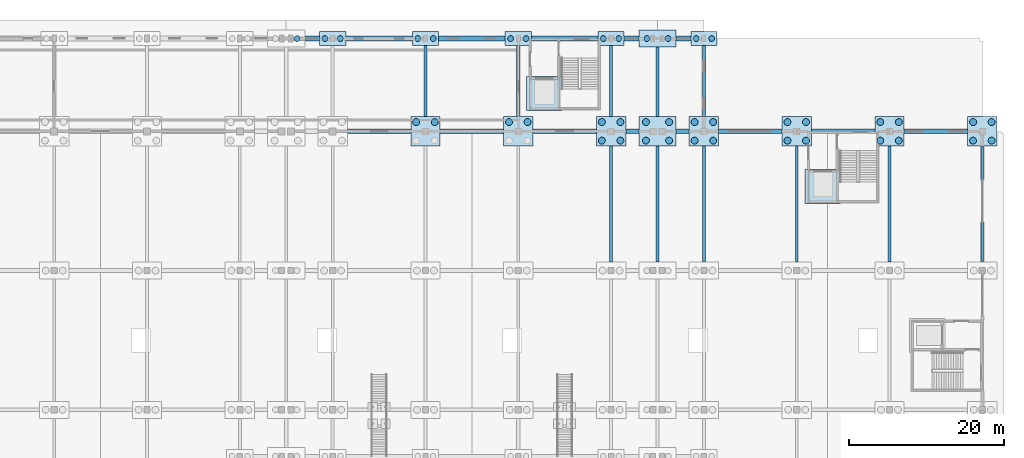
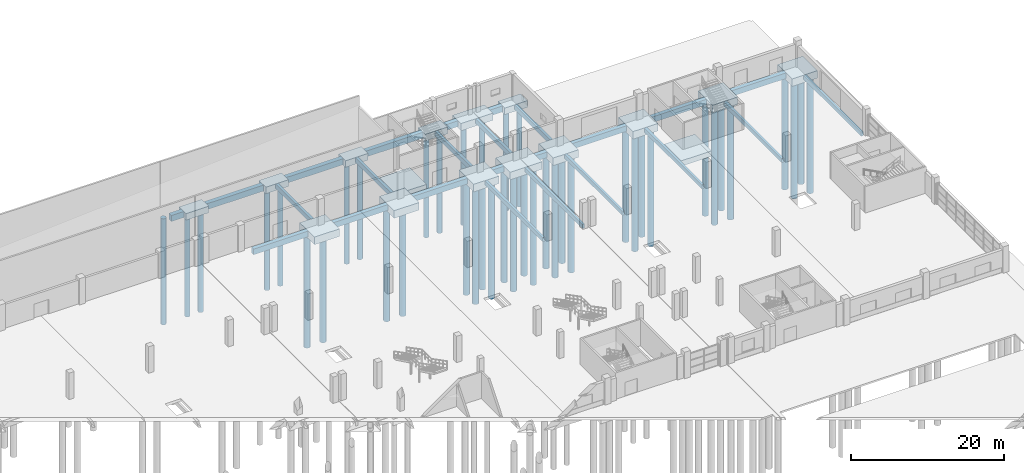
# One storey, part 9 of 77: 41 footings, 41 piles.
"""IFC4 building model written with IfcOpenShell, lengths in metres."""

import ifcopenshell
import ifcopenshell.guid

model = None  # the IFC model being written
_history = None  # IfcOwnerHistory: only IFC2X3 demands one
_inside = {}  # id of a spatial element -> (the spatial element, [elements in it])
_under = {}  # id of a project, library or spatial element -> (it, [spatial elements below it])
_declared = {}  # id of a project -> (the project, [libraries it declares])
_typed = {}  # id of a type object -> (the type object, [elements of that type])
_made_of = {}  # id of a material, layer set ... -> (it, [elements and type objects made of it])


def new_model(schema):
    """Start an empty IFC model of exactly this schema.

    Asked for "IFC4X3", IfcOpenShell would pick the latest addendum, in which some entities
    have other attributes; the version numbers below select the first issue.
    IFC2X3 requires an IfcOwnerHistory on every rooted entity: one is made here for all.
    """
    global model, _history
    if schema == "IFC4X3":
        model = ifcopenshell.file(schema_version=(4, 3, 0, 0))
    else:
        model = ifcopenshell.file(schema=schema)
    _inside.clear()
    _under.clear()
    _declared.clear()
    _typed.clear()
    _made_of.clear()
    _history = None
    if model.schema == "IFC2X3":
        org = make("IfcOrganization", Name="unknown")
        user = make(
            "IfcPersonAndOrganization",
            ThePerson=make("IfcPerson", FamilyName="unknown"),
            TheOrganization=org,
        )
        app = make(
            "IfcApplication",
            ApplicationDeveloper=org,
            Version="unknown",
            ApplicationFullName="unknown",
            ApplicationIdentifier="unknown",
        )
        _history = make(
            "IfcOwnerHistory",
            OwningUser=user,
            OwningApplication=app,
            ChangeAction="ADDED",
            CreationDate=0,
        )
    return model


def make(cls, **values):
    """One entity of the class cls with the attributes given. An attribute that is None is left unset."""
    return model.create_entity(
        cls, **{name: value for name, value in values.items() if value is not None}
    )


def rooted(cls, **values):
    """An entity with a GlobalId (a new one), such as an element, a storey or a relation."""
    return make(cls, GlobalId=ifcopenshell.guid.new(), OwnerHistory=_history, **values)


def si_unit(unit_type, name, prefix=None):
    """IfcSIUnit, for example si_unit("LENGTHUNIT", "METRE", prefix="MILLI")."""
    return make("IfcSIUnit", UnitType=unit_type, Prefix=prefix, Name=name)


def assignment(units):
    """IfcUnitAssignment: the units of a project."""
    return None if units is None else make("IfcUnitAssignment", Units=units)


def point(xyz):
    """IfcCartesianPoint."""
    return None if xyz is None else make("IfcCartesianPoint", Coordinates=xyz)


def direction(xyz):
    """IfcDirection."""
    return None if xyz is None else make("IfcDirection", DirectionRatios=xyz)


def frame(location, z_axis=None, x_axis=None):
    """IfcAxis2Placement3D, a coordinate frame: its origin and axes. An axis left out is left unset."""
    return make(
        "IfcAxis2Placement3D",
        Location=point(location),
        Axis=direction(z_axis),
        RefDirection=direction(x_axis),
    )


def frame_2d(location, x_axis=None):
    """IfcAxis2Placement2D, a coordinate frame in the plane: its origin and x axis."""
    return make(
        "IfcAxis2Placement2D", Location=point(location), RefDirection=direction(x_axis)
    )


def origin():
    """The frame at (0, 0, 0) with its axes left unset."""
    return frame((0.0, 0.0, 0.0))


def origin_2d():
    """The frame at (0, 0) in the plane with its x axis left unset."""
    return frame_2d((0.0, 0.0))


def place(relative_to, where):
    """IfcLocalPlacement: puts the frame where relative to a parent placement (None: the world)."""
    return make(
        "IfcLocalPlacement", PlacementRelTo=relative_to, RelativePlacement=where
    )


def context(
    kind, dimensions, precision=None, world=None, true_north=None, identifier=None
):
    """IfcGeometricRepresentationContext, for example the 3D "Model" context."""
    return make(
        "IfcGeometricRepresentationContext",
        ContextIdentifier=identifier,
        ContextType=kind,
        CoordinateSpaceDimension=dimensions,
        Precision=precision,
        WorldCoordinateSystem=world,
        TrueNorth=true_north,
    )


def subcontext(parent, identifier, kind, view, scale=None):
    """IfcGeometricRepresentationSubContext, for example "Body" below "Model"."""
    return make(
        "IfcGeometricRepresentationSubContext",
        ContextIdentifier=identifier,
        ContextType=kind,
        ParentContext=parent,
        TargetScale=scale,
        TargetView=view,
    )


def project(units=None, contexts=None):
    """IfcProject with its units and contexts."""
    return rooted(
        "IfcProject",
        Name="project",
        RepresentationContexts=contexts,
        UnitsInContext=assignment(units),
    )


def spatial(cls, under=None, at=None, **own):
    """A site, building, storey or space (cls), placed at a placement, below another one or the project."""
    s = rooted(cls, ObjectPlacement=at, **own)
    if under is not None:
        _under.setdefault(under.id(), (under, []))[1].append(s)
    return s


def profile(cls, at=None, kind="AREA", **sizes):
    """A parametric profile (cls). Its sizes go by their IFC names, for example OverallWidth=200.0."""
    return make(cls, ProfileType=kind, Position=at, **sizes)


def rectangle(**sizes):
    """IfcRectangleProfileDef."""
    return profile("IfcRectangleProfileDef", **sizes)


def circle(**sizes):
    """IfcCircleProfileDef."""
    return profile("IfcCircleProfileDef", **sizes)


def extrude(swept, where, along, depth):
    """IfcExtrudedAreaSolid: the profile swept, set in the frame where, extruded along a direction by depth."""
    return make(
        "IfcExtrudedAreaSolid",
        SweptArea=swept,
        Position=where,
        ExtrudedDirection=direction(along),
        Depth=depth,
    )


def shape(context_of_items, identifier, shape_type, items):
    """IfcShapeRepresentation: the items that make up one representation, for example the "Body"."""
    return make(
        "IfcShapeRepresentation",
        ContextOfItems=context_of_items,
        RepresentationIdentifier=identifier,
        RepresentationType=shape_type,
        Items=items,
    )


def material(Name=None, Category=None):
    """IfcMaterial."""
    return make("IfcMaterial", Name=Name, Category=Category)


def material_profile(
    of_material, cross_section, Name=None, Category=None, Priority=None
):
    """IfcMaterialProfile: a cross section and its material."""
    return make(
        "IfcMaterialProfile",
        Name=Name,
        Material=of_material,
        Profile=cross_section,
        Priority=Priority,
        Category=Category,
    )


def profile_set(profiles, Name=None, composite=None):
    """IfcMaterialProfileSet."""
    return make(
        "IfcMaterialProfileSet",
        Name=Name,
        MaterialProfiles=profiles,
        CompositeProfile=composite,
    )


def made_of(thing, what):
    """Note that an element or type object is made of a material, layer set ...; save() writes the relation."""
    if what is not None:
        _made_of.setdefault(what.id(), (what, []))[1].append(thing)
    return thing


def type_object(cls, material=None, **own):
    """A type object (cls), such as IfcWallType, which elements share."""
    return made_of(rooted(cls, **own), material)


def element(
    cls,
    number,
    at=None,
    inside=None,
    cuts=None,
    type_object=None,
    material=None,
    context=None,
    identifier="Body",
    shape_type=None,
    held_by="IfcProductDefinitionShape",
    body=None,
    shapes=None,
    **own,
):
    """One element of the class cls, such as IfcWall. Its Tag is "e" and its number.

    at: its placement. inside: the storey or other place that contains it. cuts: it is an
    opening in that element (IfcRelVoidsElement). A single representation is given by context,
    identifier, shape_type and body (its items); several are given by shapes. held_by: the class
    of the entity that holds the representations. save() writes the other relations.
    """
    e = rooted(cls, Tag="e%d" % number, ObjectPlacement=at, **own)
    if body is not None:
        shapes = [shape(context, identifier, shape_type, body)]
    if shapes is not None:
        e.Representation = make(held_by, Representations=shapes)
    if inside is not None:
        _inside.setdefault(inside.id(), (inside, []))[1].append(e)
    if cuts is not None:
        rooted(
            "IfcRelVoidsElement", RelatingBuildingElement=cuts, RelatedOpeningElement=e
        )
    if type_object is not None:
        _typed.setdefault(type_object.id(), (type_object, []))[1].append(e)
    return made_of(e, material)


def aggregate(whole, parts):
    """IfcRelAggregates: a whole, such as a stair, and the parts it consists of."""
    return rooted("IfcRelAggregates", RelatingObject=whole, RelatedObjects=parts)


def save(model, path):
    """Write the relations noted so far, then the file.

    IfcRelAggregates (storeys below a building ...), IfcRelContainedInSpatialStructure (elements
    in a storey), IfcRelDefinesByType, IfcRelAssociatesMaterial and IfcRelDeclares: one each for
    every whole, place, type object, material and project.
    """
    for whole, parts in _under.values():
        aggregate(whole, parts)
    for where, things in _inside.values():
        rooted(
            "IfcRelContainedInSpatialStructure",
            RelatedElements=things,
            RelatingStructure=where,
        )
    for kind, things in _typed.values():
        rooted("IfcRelDefinesByType", RelatedObjects=things, RelatingType=kind)
    for what, things in _made_of.values():
        rooted("IfcRelAssociatesMaterial", RelatedObjects=things, RelatingMaterial=what)
    for by, libraries in _declared.values():
        rooted("IfcRelDeclares", RelatingContext=by, RelatedDefinitions=libraries)
    model.write(path)


model = new_model("IFC4")

# Units and contexts
model_context = context("Model", 3, precision=1e-05, world=origin(), true_north=direction((0.0, 1.0)))
body_context = subcontext(model_context, "Body", "Model", "MODEL_VIEW")
ifc_project = project(units=[si_unit("LENGTHUNIT", "METRE"), si_unit("AREAUNIT", "SQUARE_METRE"), si_unit("VOLUMEUNIT", "CUBIC_METRE"), si_unit("PLANEANGLEUNIT", "RADIAN"), si_unit("MASSUNIT", "GRAM", prefix="KILO")], contexts=[model_context])

# Site, building, storey
site_placement = place(None, origin())
site = spatial("IfcSite", under=ifc_project, at=site_placement, CompositionType="ELEMENT")
building_placement = place(site_placement, origin())
building = spatial("IfcBuilding", under=site, at=building_placement, Name="Zilviju Railside Exhibition Hall", CompositionType="ELEMENT")
storey_placement = place(building_placement, origin())
storey = spatial("IfcBuildingStorey", under=building, at=storey_placement, Name="L01", CompositionType="ELEMENT", Elevation=0.0)

# Footings
ifc_material_1 = material(Name="Concrete C35/45", Category="concrete")
footing_type_1 = type_object("IfcFootingType", Name="CAP-PC-01", PredefinedType="PILE_CAP", material=ifc_material_1)
for number, where, z_axis, x_axis, name in (
    (1, (144.0, 138.0, -1.60009765625), (0.0, 0.0, 1.0), (1.0, 0.0, 0.0), "Pile Cap FND-CAP-208"),
    (2, (156.0, 138.0, -1.60009765625), (0.0, 0.0, 1.0), (1.0, 0.0, 0.0), "Pile Cap FND-CAP-209"),
    (3, (168.0, 138.0, -1.60009765625), (0.0, 0.0, 1.0), (1.0, 0.0, 0.0), "Pile Cap FND-CAP-210"),
    (4, (180.0, 138.0, -1.60009765625), (0.0, 0.0, 1.0), (1.0, 0.0, 0.0), "Pile Cap FND-CAP-212"),
    (5, (192.0, 138.0, -1.60009765625), (0.0, 0.0, 1.0), (1.0, 0.0, 0.0), "Pile Cap FND-CAP-213"),
    (6, (204.0, 138.0, -1.60009765625), (0.0, 0.0, 1.0), (1.0, 0.0, 0.0), "Pile Cap FND-CAP-214"),
    (7, (216.0, 138.0, -1.60009765625), (0.0, 0.0, 1.0), (1.0, 0.0, 0.0), "Pile Cap FND-CAP-215"),
):
    element("IfcFooting", number, at=place(storey_placement, frame(where, z_axis=z_axis, x_axis=x_axis)), inside=storey, type_object=footing_type_1, Name=name, PredefinedType="PILE_CAP", context=body_context, shape_type="SweptSolid", body=[
        extrude(rectangle(XDim=3.800048828125, YDim=3.800048828125, at=origin_2d()), origin(), (0.0, 0.0, 1.0), 1.199951171875),
    ])
footing_type_2 = type_object("IfcFootingType", Name="CAP-PC-03", PredefinedType="PILE_CAP", material=ifc_material_1)
for number, where, z_axis, x_axis, name in (
    (8, (132.0, 150.0, -1.4501953125), (0.0, 0.0, 1.0), (1.0, 0.0, 0.0), "Pile Cap FND-CAP-228"),
    (9, (144.0, 150.0, -1.4501953125), (0.0, 0.0, 1.0), (1.0, 0.0, 0.0), "Pile Cap FND-CAP-229"),
    (10, (156.0, 150.0, -1.4501953125), (0.0, 0.0, 1.0), (1.0, 0.0, 0.0), "Pile Cap FND-CAP-230"),
    (11, (168.0, 150.0, -1.4501953125), (0.0, 0.0, 1.0), (1.0, 0.0, 0.0), "Pile Cap FND-CAP-231"),
    (12, (180.0, 150.0, -1.4501953125), (0.0, 0.0, 1.0), (1.0, 0.0, 0.0), "Pile Cap FND-CAP-233"),
):
    element("IfcFooting", number, at=place(storey_placement, frame(where, z_axis=z_axis, x_axis=x_axis)), inside=storey, type_object=footing_type_2, Name=name, PredefinedType="PILE_CAP", context=body_context, shape_type="SweptSolid", body=[
        extrude(rectangle(XDim=3.39990234375, YDim=1.800048828125, at=origin_2d()), origin(), (0.0, 0.0, 1.0), 1.050048828125),
    ])
footing_type_3 = type_object("IfcFootingType", Name="CAP-PC-06", PredefinedType="PILE_CAP", material=ifc_material_1)
footing_1_placement = place(storey_placement, frame((174.0, 138.0, -1.60009765625), z_axis=(0.0, 0.0, 1.0), x_axis=(1.0, 0.0, 0.0)))
element("IfcFooting", 13, at=footing_1_placement, inside=storey, type_object=footing_type_3, Name="Combined Pile Cap FND-CAP-211", PredefinedType="PILE_CAP", context=body_context, shape_type="SweptSolid", body=[
    extrude(rectangle(XDim=4.800048828125, YDim=3.800048828125, at=origin_2d()), origin(), (0.0, 0.0, 1.0), 1.199951171875),
])
footing_type_4 = type_object("IfcFootingType", Name="CAP-PC-07", PredefinedType="PILE_CAP", material=ifc_material_1)
footing_2_placement = place(storey_placement, frame((174.0, 150.0, -1.550048828125), z_axis=(0.0, 0.0, 1.0), x_axis=(1.0, 0.0, 0.0)))
element("IfcFooting", 14, at=footing_2_placement, inside=storey, type_object=footing_type_4, Name="Combined Pile Cap FND-CAP-232", PredefinedType="PILE_CAP", context=body_context, shape_type="SweptSolid", body=[
    extrude(rectangle(XDim=4.800048828125, YDim=2.199951171875, at=origin_2d()), origin(), (0.0, 0.0, 1.0), 1.14990234375),
])
ifc_material_profile_1 = material_profile(ifc_material_1, rectangle(XDim=0.60009765625, YDim=0.89990234375, at=origin_2d()), Name="TIE BEAM 600x900")
ifc_profile_set_1 = profile_set([ifc_material_profile_1], Name="Concrete C35/45")
footing_type_5 = type_object("IfcFootingType", Name="GB-GB-01", PredefinedType="FOOTING_BEAM", material=ifc_profile_set_1)
for number, where, z_axis, x_axis, name in (
    (15, (133.89990234375, 138.0, -0.85009765625), (1.0, 0.0, 0.0), (0.0, 1.0, 0.0), "Ground Tie Beam GB-0184"),
    (16, (145.89990234375, 138.0, -0.85009765625), (1.0, 0.0, 0.0), (0.0, 1.0, 0.0), "Ground Tie Beam GB-0185"),
    (17, (157.89990234375, 138.0, -0.85009765625), (1.0, 0.0, 0.0), (0.0, 1.0, 0.0), "Ground Tie Beam GB-0186"),
):
    element("IfcFooting", number, at=place(storey_placement, frame(where, z_axis=z_axis, x_axis=x_axis)), inside=storey, type_object=footing_type_5, Name=name, PredefinedType="FOOTING_BEAM", context=body_context, shape_type="SweptSolid", body=[
        extrude(rectangle(XDim=0.60009765625, YDim=0.89990234375, at=origin_2d()), origin(), (0.0, 0.0, 1.0), 8.2001953125),
    ])
for number, where, z_axis, x_axis, name in (
    (18, (169.89990234375, 138.0, -0.85009765625), (1.0, 0.0, 0.0), (0.0, 1.0, 0.0), "Ground Tie Beam GB-0187"),
    (19, (176.39990234375, 138.0, -0.85009765625), (1.0, 0.0, 0.0), (0.0, 1.0, 0.0), "Ground Tie Beam GB-0188"),
):
    element("IfcFooting", number, at=place(storey_placement, frame(where, z_axis=z_axis, x_axis=x_axis)), inside=storey, type_object=footing_type_5, Name=name, PredefinedType="FOOTING_BEAM", context=body_context, shape_type="SweptSolid", body=[
        extrude(rectangle(XDim=0.60009765625, YDim=0.89990234375, at=origin_2d()), origin(), (0.0, 0.0, 1.0), 1.7001953125),
    ])
for number, where, z_axis, x_axis, name in (
    (20, (181.89990234375, 138.0, -0.85009765625), (1.0, 0.0, 0.0), (0.0, 1.0, 0.0), "Ground Tie Beam GB-0189"),
    (21, (193.89990234375, 138.0, -0.85009765625), (1.0, 0.0, 0.0), (0.0, 1.0, 0.0), "Ground Tie Beam GB-0190"),
    (22, (205.89990234375, 138.0, -0.85009765625), (1.0, 0.0, 0.0), (0.0, 1.0, 0.0), "Ground Tie Beam GB-0191"),
):
    element("IfcFooting", number, at=place(storey_placement, frame(where, z_axis=z_axis, x_axis=x_axis)), inside=storey, type_object=footing_type_5, Name=name, PredefinedType="FOOTING_BEAM", context=body_context, shape_type="SweptSolid", body=[
        extrude(rectangle(XDim=0.60009765625, YDim=0.89990234375, at=origin_2d()), origin(), (0.0, 0.0, 1.0), 8.2001953125),
    ])
ifc_material_profile_2 = material_profile(ifc_material_1, rectangle(XDim=0.39990234375, YDim=0.75, at=origin_2d()), Name="TIE BEAM 400x750")
ifc_profile_set_2 = profile_set([ifc_material_profile_2], Name="Concrete C35/45")
footing_type_6 = type_object("IfcFootingType", Name="GB-GB-04", PredefinedType="FOOTING_BEAM", material=ifc_profile_set_2)
for number, where, z_axis, x_axis, name in (
    (23, (144.0, 139.89990234375, -0.77490234375), (0.0, 1.0, 0.0), (-1.0, 0.0, 0.0), "Ground Tie Beam GB-0343"),
    (24, (156.0, 139.89990234375, -0.77490234375), (0.0, 1.0, 0.0), (-1.0, 0.0, 0.0), "Ground Tie Beam GB-0349"),
    (25, (168.0, 139.89990234375, -0.77490234375), (0.0, 1.0, 0.0), (-1.0, 0.0, 0.0), "Ground Tie Beam GB-0355"),
):
    element("IfcFooting", number, at=place(storey_placement, frame(where, z_axis=z_axis, x_axis=x_axis)), inside=storey, type_object=footing_type_6, Name=name, PredefinedType="FOOTING_BEAM", context=body_context, shape_type="SweptSolid", body=[
        extrude(rectangle(XDim=0.39990234375, YDim=0.75, at=origin_2d()), origin(), (0.0, 0.0, 1.0), 9.2001953125),
    ])
footing_3_placement = place(storey_placement, frame((174.0, 139.89990234375, -0.77490234375), z_axis=(0.0, 1.0, 0.0), x_axis=(-1.0, 0.0, 0.0)))
element("IfcFooting", 26, at=footing_3_placement, inside=storey, type_object=footing_type_6, Name="Ground Tie Beam GB-0361", PredefinedType="FOOTING_BEAM", context=body_context, shape_type="SweptSolid", body=[
    extrude(rectangle(XDim=0.39990234375, YDim=0.75, at=origin_2d()), origin(), (0.0, 0.0, 1.0), 9.0),
])
footing_4_placement = place(storey_placement, frame((180.0, 139.89990234375, -0.77490234375), z_axis=(0.0, 1.0, 0.0), x_axis=(-1.0, 0.0, 0.0)))
element("IfcFooting", 27, at=footing_4_placement, inside=storey, type_object=footing_type_6, Name="Ground Tie Beam GB-0370", PredefinedType="FOOTING_BEAM", context=body_context, shape_type="SweptSolid", body=[
    extrude(rectangle(XDim=0.39990234375, YDim=0.75, at=origin_2d()), origin(), (0.0, 0.0, 1.0), 9.2001953125),
])
ifc_material_2 = material(Name="Concrete C40/50", Category="concrete")
ifc_material_profile_3 = material_profile(ifc_material_2, rectangle(XDim=0.64990234375, YDim=0.949951171875, at=origin_2d()), Name="TIE BEAM 650x950")
ifc_profile_set_3 = profile_set([ifc_material_profile_3], Name="Concrete C40/50")
footing_type_7 = type_object("IfcFootingType", Name="GB-GB-05", PredefinedType="FOOTING_BEAM", material=ifc_profile_set_3)
footing_5_placement = place(storey_placement, frame((128.39990234375, 150.0, -0.875), z_axis=(1.0, 0.0, 0.0), x_axis=(0.0, 1.0, 0.0)))
element("IfcFooting", 28, at=footing_5_placement, inside=storey, type_object=footing_type_7, Name="Ground Tie Beam GB-0203", PredefinedType="FOOTING_BEAM", context=body_context, shape_type="SweptSolid", body=[
    extrude(rectangle(XDim=0.64990234375, YDim=0.949951171875, at=origin_2d()), origin(), (0.0, 0.0, 1.0), 1.900146484375),
])
for number, where, z_axis, x_axis, name in (
    (29, (133.699951171875, 150.0, -0.875), (1.0, 0.0, 0.0), (0.0, 1.0, 0.0), "Ground Tie Beam GB-0204"),
    (30, (145.699951171875, 150.0, -0.875), (1.0, 0.0, 0.0), (0.0, 1.0, 0.0), "Ground Tie Beam GB-0205"),
    (31, (157.699951171875, 150.0, -0.875), (1.0, 0.0, 0.0), (0.0, 1.0, 0.0), "Ground Tie Beam GB-0206"),
):
    element("IfcFooting", number, at=place(storey_placement, frame(where, z_axis=z_axis, x_axis=x_axis)), inside=storey, type_object=footing_type_7, Name=name, PredefinedType="FOOTING_BEAM", context=body_context, shape_type="SweptSolid", body=[
        extrude(rectangle(XDim=0.64990234375, YDim=0.949951171875, at=origin_2d()), origin(), (0.0, 0.0, 1.0), 8.60009765625),
    ])
for number, where, z_axis, x_axis, name in (
    (32, (169.699951171875, 150.0, -0.875), (1.0, 0.0, 0.0), (0.0, 1.0, 0.0), "Ground Tie Beam GB-0207"),
    (33, (176.39990234375, 150.0, -0.875), (1.0, 0.0, 0.0), (0.0, 1.0, 0.0), "Ground Tie Beam GB-0208"),
):
    element("IfcFooting", number, at=place(storey_placement, frame(where, z_axis=z_axis, x_axis=x_axis)), inside=storey, type_object=footing_type_7, Name=name, PredefinedType="FOOTING_BEAM", context=body_context, shape_type="SweptSolid", body=[
        extrude(rectangle(XDim=0.64990234375, YDim=0.949951171875, at=origin_2d()), origin(), (0.0, 0.0, 1.0), 1.900146484375),
    ])
ifc_material_profile_4 = material_profile(ifc_material_1, rectangle(XDim=0.35009765625, YDim=0.64990234375, at=origin_2d()), Name="TIE BEAM 350x650")
ifc_profile_set_4 = profile_set([ifc_material_profile_4], Name="Concrete C35/45")
footing_type_8 = type_object("IfcFootingType", Name="GB-GB-06", PredefinedType="FOOTING_BEAM", material=ifc_profile_set_4)
for number, where, z_axis, x_axis, name in (
    (34, (168.0, 121.10009765625, -0.72509765625), (0.0, 1.0, 0.0), (-1.0, 0.0, 0.0), "Ground Tie Beam GB-0354"),
    (35, (174.0, 121.10009765625, -0.72509765625), (0.0, 1.0, 0.0), (-1.0, 0.0, 0.0), "Ground Tie Beam GB-0360"),
    (36, (180.0, 121.10009765625, -0.72509765625), (0.0, 1.0, 0.0), (-1.0, 0.0, 0.0), "Ground Tie Beam GB-0369"),
    (37, (192.0, 121.10009765625, -0.72509765625), (0.0, 1.0, 0.0), (-1.0, 0.0, 0.0), "Ground Tie Beam GB-0376"),
    (38, (204.0, 121.10009765625, -0.72509765625), (0.0, 1.0, 0.0), (-1.0, 0.0, 0.0), "Ground Tie Beam GB-0382"),
    (39, (216.0, 121.10009765625, -0.72509765625), (0.0, 1.0, 0.0), (-1.0, 0.0, 0.0), "Ground Tie Beam GB-0388"),
):
    element("IfcFooting", number, at=place(storey_placement, frame(where, z_axis=z_axis, x_axis=x_axis)), inside=storey, type_object=footing_type_8, Name=name, PredefinedType="FOOTING_BEAM", context=body_context, shape_type="SweptSolid", body=[
        extrude(rectangle(XDim=0.35009765625, YDim=0.64990234375, at=origin_2d()), origin(), (0.0, 0.0, 1.0), 15.0),
    ])
footing_type_9 = type_object("IfcFootingType", Name="PAD-PF-02", PredefinedType="PAD_FOOTING", material=ifc_material_2)
for number, where, z_axis, x_axis, name in (
    (40, (195.375, 130.875, -2.449951171875), (0.0, 0.0, 1.0), (1.0, 0.0, 0.0), "Lift Pit Foundation Pad LF-02"),
    (41, (159.375, 142.875, -2.449951171875), (0.0, 0.0, 1.0), (1.0, 0.0, 0.0), "Lift Pit Foundation Pad LF-04"),
):
    element("IfcFooting", number, at=place(storey_placement, frame(where, z_axis=z_axis, x_axis=x_axis)), inside=storey, type_object=footing_type_9, Name=name, PredefinedType="PAD_FOOTING", context=body_context, shape_type="SweptSolid", body=[
        extrude(rectangle(XDim=4.60009765625, YDim=4.39990234375, at=origin_2d()), origin(), (0.0, 0.0, 1.0), 0.85009765625),
    ])

# Piles
ifc_material_profile_5 = material_profile(ifc_material_1, circle(Radius=0.375, at=origin_2d()), Name="CFA PILE D750")
ifc_profile_set_5 = profile_set([ifc_material_profile_5], Name="Concrete C35/45")
pile_type_1 = type_object("IfcPileType", Name="PILE-PL-750", PredefinedType="BORED", material=ifc_profile_set_5)
for number, where, z_axis, x_axis, name in (
    (42, (127.39990234375, 150.0, -0.5), (0.0, 0.0, -1.0), (1.0, 0.0, 0.0), "Bored CFA Pile P-0566"),
    (43, (131.0, 150.0, -0.5), (0.0, 0.0, -1.0), (1.0, 0.0, 0.0), "Bored CFA Pile P-0567"),
    (44, (133.0, 150.0, -0.5), (0.0, 0.0, -1.0), (1.0, 0.0, 0.0), "Bored CFA Pile P-0568"),
    (45, (143.0, 150.0, -0.5), (0.0, 0.0, -1.0), (1.0, 0.0, 0.0), "Bored CFA Pile P-0569"),
    (46, (145.0, 150.0, -0.5), (0.0, 0.0, -1.0), (1.0, 0.0, 0.0), "Bored CFA Pile P-0570"),
    (47, (155.0, 150.0, -0.5), (0.0, 0.0, -1.0), (1.0, 0.0, 0.0), "Bored CFA Pile P-0571"),
    (48, (157.0, 150.0, -0.5), (0.0, 0.0, -1.0), (1.0, 0.0, 0.0), "Bored CFA Pile P-0572"),
    (49, (167.0, 150.0, -0.5), (0.0, 0.0, -1.0), (1.0, 0.0, 0.0), "Bored CFA Pile P-0573"),
    (50, (169.0, 150.0, -0.5), (0.0, 0.0, -1.0), (1.0, 0.0, 0.0), "Bored CFA Pile P-0574"),
    (51, (172.60009765625, 150.0, -0.5), (0.0, 0.0, -1.0), (1.0, 0.0, 0.0), "Bored CFA Pile P-0575"),
    (52, (175.39990234375, 150.0, -0.5), (0.0, 0.0, -1.0), (1.0, 0.0, 0.0), "Bored CFA Pile P-0576"),
    (53, (179.0, 150.0, -0.5), (0.0, 0.0, -1.0), (1.0, 0.0, 0.0), "Bored CFA Pile P-0577"),
    (54, (181.0, 150.0, -0.5), (0.0, 0.0, -1.0), (1.0, 0.0, 0.0), "Bored CFA Pile P-0578"),
):
    element("IfcPile", number, at=place(storey_placement, frame(where, z_axis=z_axis, x_axis=x_axis)), inside=storey, type_object=pile_type_1, Name=name, PredefinedType="BORED", context=body_context, shape_type="SweptSolid", body=[
        extrude(circle(Radius=0.375, at=origin_2d()), origin(), (0.0, 0.0, 1.0), 16.89990234375),
    ])
ifc_material_profile_6 = material_profile(ifc_material_1, circle(Radius=0.449951171875, at=origin_2d()), Name="CFA PILE D900")
ifc_profile_set_6 = profile_set([ifc_material_profile_6], Name="Concrete C35/45")
pile_type_2 = type_object("IfcPileType", Name="PILE-PL-900", PredefinedType="BORED", material=ifc_profile_set_6)
for number, where, z_axis, x_axis, name in (
    (55, (142.800048828125, 139.199951171875, -0.5), (0.0, 0.0, -1.0), (1.0, 0.0, 0.0), "Bored CFA Pile P-0515"),
    (56, (145.199951171875, 139.199951171875, -0.5), (0.0, 0.0, -1.0), (1.0, 0.0, 0.0), "Bored CFA Pile P-0516"),
    (57, (154.800048828125, 139.199951171875, -0.5), (0.0, 0.0, -1.0), (1.0, 0.0, 0.0), "Bored CFA Pile P-0519"),
    (58, (157.199951171875, 139.199951171875, -0.5), (0.0, 0.0, -1.0), (1.0, 0.0, 0.0), "Bored CFA Pile P-0520"),
    (59, (166.800048828125, 136.800048828125, -0.5), (0.0, 0.0, -1.0), (1.0, 0.0, 0.0), "Bored CFA Pile P-0521"),
    (60, (169.199951171875, 136.800048828125, -0.5), (0.0, 0.0, -1.0), (1.0, 0.0, 0.0), "Bored CFA Pile P-0522"),
    (61, (166.800048828125, 139.199951171875, -0.5), (0.0, 0.0, -1.0), (1.0, 0.0, 0.0), "Bored CFA Pile P-0523"),
    (62, (169.199951171875, 139.199951171875, -0.5), (0.0, 0.0, -1.0), (1.0, 0.0, 0.0), "Bored CFA Pile P-0524"),
    (63, (172.5, 136.800048828125, -0.5), (0.0, 0.0, -1.0), (1.0, 0.0, 0.0), "Bored CFA Pile P-0525"),
    (64, (175.5, 136.800048828125, -0.5), (0.0, 0.0, -1.0), (1.0, 0.0, 0.0), "Bored CFA Pile P-0526"),
    (65, (172.5, 139.199951171875, -0.5), (0.0, 0.0, -1.0), (1.0, 0.0, 0.0), "Bored CFA Pile P-0527"),
    (66, (175.5, 139.199951171875, -0.5), (0.0, 0.0, -1.0), (1.0, 0.0, 0.0), "Bored CFA Pile P-0528"),
    (67, (178.800048828125, 136.800048828125, -0.5), (0.0, 0.0, -1.0), (1.0, 0.0, 0.0), "Bored CFA Pile P-0529"),
    (68, (181.199951171875, 136.800048828125, -0.5), (0.0, 0.0, -1.0), (1.0, 0.0, 0.0), "Bored CFA Pile P-0530"),
    (69, (178.800048828125, 139.199951171875, -0.5), (0.0, 0.0, -1.0), (1.0, 0.0, 0.0), "Bored CFA Pile P-0531"),
    (70, (181.199951171875, 139.199951171875, -0.5), (0.0, 0.0, -1.0), (1.0, 0.0, 0.0), "Bored CFA Pile P-0532"),
    (71, (190.800048828125, 136.800048828125, -0.5), (0.0, 0.0, -1.0), (1.0, 0.0, 0.0), "Bored CFA Pile P-0533"),
    (72, (193.199951171875, 136.800048828125, -0.5), (0.0, 0.0, -1.0), (1.0, 0.0, 0.0), "Bored CFA Pile P-0534"),
    (73, (190.800048828125, 139.199951171875, -0.5), (0.0, 0.0, -1.0), (1.0, 0.0, 0.0), "Bored CFA Pile P-0535"),
    (74, (193.199951171875, 139.199951171875, -0.5), (0.0, 0.0, -1.0), (1.0, 0.0, 0.0), "Bored CFA Pile P-0536"),
    (75, (202.800048828125, 136.800048828125, -0.5), (0.0, 0.0, -1.0), (1.0, 0.0, 0.0), "Bored CFA Pile P-0537"),
    (76, (205.199951171875, 136.800048828125, -0.5), (0.0, 0.0, -1.0), (1.0, 0.0, 0.0), "Bored CFA Pile P-0538"),
    (77, (202.800048828125, 139.199951171875, -0.5), (0.0, 0.0, -1.0), (1.0, 0.0, 0.0), "Bored CFA Pile P-0539"),
    (78, (205.199951171875, 139.199951171875, -0.5), (0.0, 0.0, -1.0), (1.0, 0.0, 0.0), "Bored CFA Pile P-0540"),
    (79, (214.800048828125, 136.800048828125, -0.5), (0.0, 0.0, -1.0), (1.0, 0.0, 0.0), "Bored CFA Pile P-0541"),
    (80, (217.199951171875, 136.800048828125, -0.5), (0.0, 0.0, -1.0), (1.0, 0.0, 0.0), "Bored CFA Pile P-0542"),
    (81, (214.800048828125, 139.199951171875, -0.5), (0.0, 0.0, -1.0), (1.0, 0.0, 0.0), "Bored CFA Pile P-0543"),
    (82, (217.199951171875, 139.199951171875, -0.5), (0.0, 0.0, -1.0), (1.0, 0.0, 0.0), "Bored CFA Pile P-0544"),
):
    element("IfcPile", number, at=place(storey_placement, frame(where, z_axis=z_axis, x_axis=x_axis)), inside=storey, type_object=pile_type_2, Name=name, PredefinedType="BORED", context=body_context, shape_type="SweptSolid", body=[
        extrude(circle(Radius=0.449951171875, at=origin_2d()), origin(), (0.0, 0.0, 1.0), 19.39990234375),
    ])

save(model, "model.ifc")
